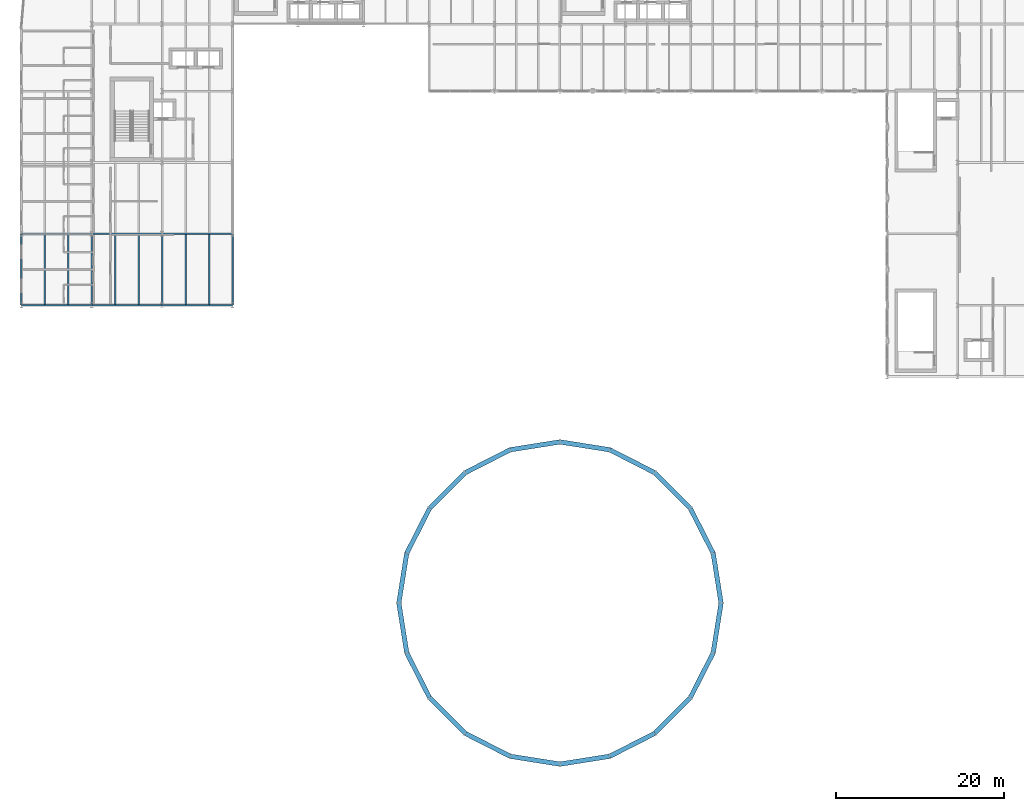
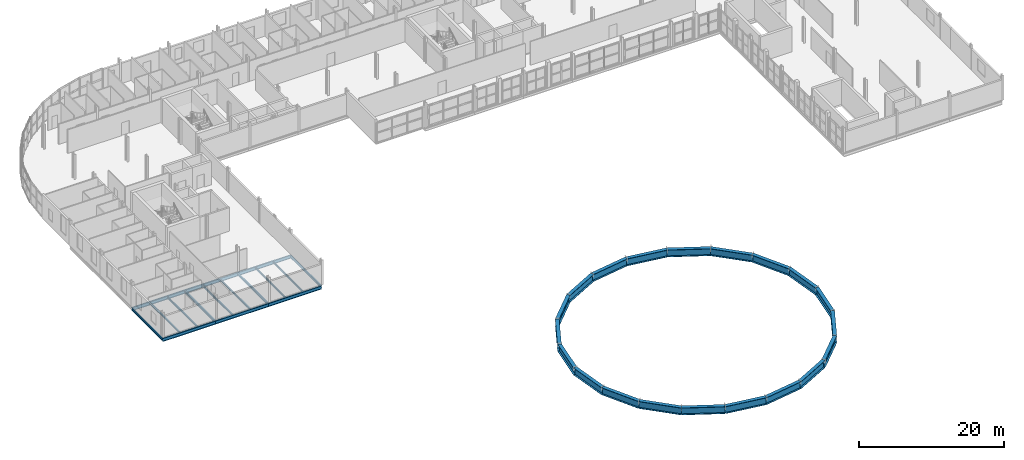
# One storey, part 11 of 45: 36 beams.
"""IFC4 building model written with IfcOpenShell, lengths in metres."""

from ifc_helpers import new_model, si_unit, direction, frame, origin, origin_2d, place, context, subcontext, project, spatial, i_section, extrude, material, material_profile, profile_set, type_object, element, save


model = new_model("IFC4")

# Units and contexts
model_context = context("Model", 3, precision=1e-05, world=origin(), true_north=direction((0.0, 1.0)))
body_context = subcontext(model_context, "Body", "Model", "MODEL_VIEW")
ifc_project = project(units=[si_unit("LENGTHUNIT", "METRE"), si_unit("AREAUNIT", "SQUARE_METRE"), si_unit("VOLUMEUNIT", "CUBIC_METRE"), si_unit("PLANEANGLEUNIT", "RADIAN"), si_unit("MASSUNIT", "GRAM", prefix="KILO")], contexts=[model_context])

# Site, building, storey
site_placement = place(None, origin())
site = spatial("IfcSite", under=ifc_project, at=site_placement, CompositionType="ELEMENT")
building_placement = place(site_placement, origin())
building = spatial("IfcBuilding", under=site, at=building_placement, Name="Sefraquen Railside Congress Hotel", CompositionType="ELEMENT")
storey_placement = place(building_placement, frame((0.0, 0.0, 20.39990234375)))
storey = spatial("IfcBuildingStorey", under=building, at=storey_placement, Name="L04", CompositionType="ELEMENT", Elevation=20.39990234375)

# Beams
ifc_material_1 = material(Name="Steel S355JR", Category="steel")
ifc_material_profile_1 = material_profile(ifc_material_1, i_section(OverallWidth=0.179931640625, OverallDepth=0.39990234375, WebThickness=0.008544921875, FlangeThickness=0.013427734375, FilletRadius=0.02099609375, at=origin_2d()), Name="IPE 400")
ifc_profile_set_1 = profile_set([ifc_material_profile_1], Name="Steel S355JR")
beam_type_1 = type_object("IfcBeamType", Name="TB-BM-400I", PredefinedType="BEAM", material=ifc_profile_set_1)
for number, where, z_axis, x_axis, name in (
    (1, (0.0, 62.5, -0.47998046875), (0.0, 1.0, 0.0), (-1.0, 0.0, 0.0), "Floor beam BM-L04-1341"),
    (2, (8.39990234375, 62.5, -0.47998046875), (0.0, 1.0, 0.0), (-1.0, 0.0, 0.0), "Floor beam BM-L04-1344"),
    (3, (16.800048828125, 62.5, -0.47998046875), (0.0, 1.0, 0.0), (-1.0, 0.0, 0.0), "Floor beam BM-L04-1350"),
    (4, (25.199951171875, 62.5, -0.47998046875), (0.0, 1.0, 0.0), (-1.0, 0.0, 0.0), "Floor beam BM-L04-1356"),
):
    element("IfcBeam", number, at=place(storey_placement, frame(where, z_axis=z_axis, x_axis=x_axis)), inside=storey, type_object=beam_type_1, Name=name, PredefinedType="BEAM", context=body_context, shape_type="SweptSolid", body=[
        extrude(i_section(OverallWidth=0.179931640625, OverallDepth=0.39990234375, WebThickness=0.008544921875, FlangeThickness=0.013427734375, FilletRadius=0.02099609375, at=origin_2d()), origin(), (0.0, 0.0, 1.0), 8.5),
    ])
ifc_material_2 = material(Name="Steel S355J2", Category="steel")
ifc_material_profile_2 = material_profile(ifc_material_2, i_section(OverallWidth=0.550048828125, OverallDepth=1.199951171875, WebThickness=0.02392578125, FlangeThickness=0.0419921875, at=origin_2d()), Name="DRB 1200x550")
ifc_profile_set_2 = profile_set([ifc_material_profile_2], Name="Steel S355J2")
beam_type_2 = type_object("IfcBeamType", Name="TB-DRB-1200", PredefinedType="USERDEFINED", material=ifc_profile_set_2)
for number, where, z_axis, x_axis, name in (
    (5, (83.39990234375, 27.0, 0.0), (-0.156432138959, 0.987688709007, 0.0), (-0.987688709007, -0.156432138959, 0.0), "Dome tension ring beam segment 01"),
    (6, (82.460205078125, 32.93310546875, 0.0), (-0.453979967137, 0.891011890739, 0.0), (-0.891011890739, -0.453979967137, 0.0), "Dome tension ring beam segment 02"),
    (7, (79.733154296875, 38.285400390625, 0.0), (-0.707086459982, 0.707127101807, 0.0), (-0.707127101807, -0.707086459982, 0.0), "Dome tension ring beam segment 03"),
):
    element("IfcBeam", number, at=place(storey_placement, frame(where, z_axis=z_axis, x_axis=x_axis)), inside=storey, type_object=beam_type_2, Name=name, ObjectType="RING BEAM", PredefinedType="USERDEFINED", context=body_context, shape_type="SweptSolid", body=[
        extrude(i_section(OverallWidth=0.550048828125, OverallDepth=1.199951171875, WebThickness=0.02392578125, FlangeThickness=0.0419921875, at=origin_2d()), origin(), (0.0, 0.0, 1.0), 6.007080078125),
    ])
beam_1_placement = place(storey_placement, frame((75.485595703125, 42.533203125, 0.0), z_axis=(-0.891020266674, 0.453963527584, 0.0), x_axis=(-0.453963527584, -0.891020266674, 0.0)))
element("IfcBeam", 8, at=beam_1_placement, inside=storey, type_object=beam_type_2, Name="Dome tension ring beam segment 04", ObjectType="RING BEAM", PredefinedType="USERDEFINED", context=body_context, shape_type="SweptSolid", body=[
    extrude(i_section(OverallWidth=0.550048828125, OverallDepth=1.199951171875, WebThickness=0.02392578125, FlangeThickness=0.0419921875, at=origin_2d()), origin(), (0.0, 0.0, 1.0), 6.00732421875),
])
for number, where, z_axis, x_axis, name in (
    (9, (70.133056640625, 45.26025390625, 0.0), (-0.987688709007, 0.156432138959, 0.0), (-0.156432138959, -0.987688709007, 0.0), "Dome tension ring beam segment 05"),
    (10, (64.199951171875, 46.199951171875, 0.0), (-0.987688709007, -0.156432138959, 0.0), (0.156432138959, -0.987688709007, 0.0), "Dome tension ring beam segment 06"),
    (11, (58.266845703125, 45.26025390625, 0.0), (-0.891011890739, -0.453979967137, 0.0), (0.453979967137, -0.891011890739, 0.0), "Dome tension ring beam segment 07"),
    (12, (52.91455078125, 42.533203125, 0.0), (-0.707086459982, -0.707127101807, 0.0), (0.707127101807, -0.707086459982, 0.0), "Dome tension ring beam segment 08"),
    (13, (48.6669921875, 38.285400390625, 0.0), (-0.454012232645, -0.890995450386, 0.0), (0.890995450386, -0.454012232645, 0.0), "Dome tension ring beam segment 09"),
    (14, (45.939697265625, 32.93310546875, 0.0), (-0.156432138959, -0.987688709007, 0.0), (0.987688709007, -0.156432138959, 0.0), "Dome tension ring beam segment 10"),
    (15, (45.0, 27.0, 0.0), (0.156432138959, -0.987688709007, 0.0), (0.987688709007, 0.156432138959, 0.0), "Dome tension ring beam segment 11"),
    (16, (45.939697265625, 21.06689453125, 0.0), (0.454012232645, -0.890995450386, 0.0), (0.890995450386, 0.454012232645, 0.0), "Dome tension ring beam segment 12"),
    (17, (48.6669921875, 15.714599609375, 0.0), (0.707086459982, -0.707127101807, 0.0), (0.707127101807, 0.707086459982, 0.0), "Dome tension ring beam segment 13"),
    (18, (52.91455078125, 11.466796875, 0.0), (0.891011890739, -0.453979967137, 0.0), (0.453979967137, 0.891011890739, 0.0), "Dome tension ring beam segment 14"),
    (19, (58.266845703125, 8.73974609375, 0.0), (0.987688709007, -0.156432138959, 0.0), (0.156432138959, 0.987688709007, 0.0), "Dome tension ring beam segment 15"),
    (20, (64.199951171875, 7.800048828125, 0.0), (0.987688709007, 0.156432138959, 0.0), (-0.156432138959, 0.987688709007, 0.0), "Dome tension ring beam segment 16"),
):
    element("IfcBeam", number, at=place(storey_placement, frame(where, z_axis=z_axis, x_axis=x_axis)), inside=storey, type_object=beam_type_2, Name=name, ObjectType="RING BEAM", PredefinedType="USERDEFINED", context=body_context, shape_type="SweptSolid", body=[
        extrude(i_section(OverallWidth=0.550048828125, OverallDepth=1.199951171875, WebThickness=0.02392578125, FlangeThickness=0.0419921875, at=origin_2d()), origin(), (0.0, 0.0, 1.0), 6.007080078125),
    ])
beam_2_placement = place(storey_placement, frame((70.133056640625, 8.73974609375, 0.0), z_axis=(0.891020266674, 0.453963527584, 0.0), x_axis=(-0.453963527584, 0.891020266674, 0.0)))
element("IfcBeam", 21, at=beam_2_placement, inside=storey, type_object=beam_type_2, Name="Dome tension ring beam segment 17", ObjectType="RING BEAM", PredefinedType="USERDEFINED", context=body_context, shape_type="SweptSolid", body=[
    extrude(i_section(OverallWidth=0.550048828125, OverallDepth=1.199951171875, WebThickness=0.02392578125, FlangeThickness=0.0419921875, at=origin_2d()), origin(), (0.0, 0.0, 1.0), 6.00732421875),
])
for number, where, z_axis, x_axis, name in (
    (22, (75.485595703125, 11.466796875, 0.0), (0.707086459982, 0.707127101807, 0.0), (-0.707127101807, 0.707086459982, 0.0), "Dome tension ring beam segment 18"),
    (23, (79.733154296875, 15.714599609375, 0.0), (0.453979967137, 0.891011890739, 0.0), (-0.891011890739, 0.453979967137, 0.0), "Dome tension ring beam segment 19"),
    (24, (82.460205078125, 21.06689453125, 0.0), (0.156432138959, 0.987688709007, 0.0), (-0.987688709007, 0.156432138959, 0.0), "Dome tension ring beam segment 20"),
):
    element("IfcBeam", number, at=place(storey_placement, frame(where, z_axis=z_axis, x_axis=x_axis)), inside=storey, type_object=beam_type_2, Name=name, ObjectType="RING BEAM", PredefinedType="USERDEFINED", context=body_context, shape_type="SweptSolid", body=[
        extrude(i_section(OverallWidth=0.550048828125, OverallDepth=1.199951171875, WebThickness=0.02392578125, FlangeThickness=0.0419921875, at=origin_2d()), origin(), (0.0, 0.0, 1.0), 6.007080078125),
    ])
ifc_material_profile_3 = material_profile(ifc_material_1, i_section(OverallWidth=0.2099609375, OverallDepth=0.550048828125, WebThickness=0.010986328125, FlangeThickness=0.01708984375, FilletRadius=0.02392578125, at=origin_2d()), Name="IPE 550")
ifc_profile_set_3 = profile_set([ifc_material_profile_3], Name="Steel S355JR")
beam_type_3 = type_object("IfcBeamType", Name="TB-GIR-550", PredefinedType="T_BEAM", material=ifc_profile_set_3)
beam_3_placement = place(storey_placement, frame((0.0, 62.5, -0.554931640625), z_axis=(1.0, 0.0, 0.0), x_axis=(0.0, 1.0, 0.0)))
element("IfcBeam", 25, at=beam_3_placement, inside=storey, type_object=beam_type_3, Name="Primary girder BM-L04-1263", PredefinedType="T_BEAM", context=body_context, shape_type="SweptSolid", body=[
    extrude(i_section(OverallWidth=0.2099609375, OverallDepth=0.550048828125, WebThickness=0.010986328125, FlangeThickness=0.01708984375, FilletRadius=0.02392578125, at=origin_2d()), origin(), (0.0, 0.0, 1.0), 8.39990234375),
])
beam_4_placement = place(storey_placement, frame((8.39990234375, 62.5, -0.554931640625), z_axis=(1.0, 0.0, 0.0), x_axis=(0.0, 1.0, 0.0)))
element("IfcBeam", 26, at=beam_4_placement, inside=storey, type_object=beam_type_3, Name="Primary girder BM-L04-1264", PredefinedType="T_BEAM", context=body_context, shape_type="SweptSolid", body=[
    extrude(i_section(OverallWidth=0.2099609375, OverallDepth=0.550048828125, WebThickness=0.010986328125, FlangeThickness=0.01708984375, FilletRadius=0.02392578125, at=origin_2d()), origin(), (0.0, 0.0, 1.0), 8.400146484375),
])
for number, where, z_axis, x_axis, name in (
    (27, (16.800048828125, 62.5, -0.554931640625), (1.0, 0.0, 0.0), (0.0, 1.0, 0.0), "Primary girder BM-L04-1265"),
    (28, (0.0, 71.0, -0.554931640625), (1.0, 0.0, 0.0), (0.0, 1.0, 0.0), "Primary girder BM-L04-1268"),
):
    element("IfcBeam", number, at=place(storey_placement, frame(where, z_axis=z_axis, x_axis=x_axis)), inside=storey, type_object=beam_type_3, Name=name, PredefinedType="T_BEAM", context=body_context, shape_type="SweptSolid", body=[
        extrude(i_section(OverallWidth=0.2099609375, OverallDepth=0.550048828125, WebThickness=0.010986328125, FlangeThickness=0.01708984375, FilletRadius=0.02392578125, at=origin_2d()), origin(), (0.0, 0.0, 1.0), 8.39990234375),
    ])
beam_5_placement = place(storey_placement, frame((8.39990234375, 71.0, -0.554931640625), z_axis=(1.0, 0.0, 0.0), x_axis=(0.0, 1.0, 0.0)))
element("IfcBeam", 29, at=beam_5_placement, inside=storey, type_object=beam_type_3, Name="Primary girder BM-L04-1269", PredefinedType="T_BEAM", context=body_context, shape_type="SweptSolid", body=[
    extrude(i_section(OverallWidth=0.2099609375, OverallDepth=0.550048828125, WebThickness=0.010986328125, FlangeThickness=0.01708984375, FilletRadius=0.02392578125, at=origin_2d()), origin(), (0.0, 0.0, 1.0), 8.400146484375),
])
beam_6_placement = place(storey_placement, frame((16.800048828125, 71.0, -0.554931640625), z_axis=(1.0, 0.0, 0.0), x_axis=(0.0, 1.0, 0.0)))
element("IfcBeam", 30, at=beam_6_placement, inside=storey, type_object=beam_type_3, Name="Primary girder BM-L04-1270", PredefinedType="T_BEAM", context=body_context, shape_type="SweptSolid", body=[
    extrude(i_section(OverallWidth=0.2099609375, OverallDepth=0.550048828125, WebThickness=0.010986328125, FlangeThickness=0.01708984375, FilletRadius=0.02392578125, at=origin_2d()), origin(), (0.0, 0.0, 1.0), 8.39990234375),
])
ifc_material_profile_4 = material_profile(ifc_material_1, i_section(OverallWidth=0.14990234375, OverallDepth=0.300048828125, WebThickness=0.007080078125, FlangeThickness=0.0107421875, FilletRadius=0.014892578125, at=origin_2d()), Name="IPE 300")
ifc_profile_set_4 = profile_set([ifc_material_profile_4], Name="Steel S355JR")
beam_type_4 = type_object("IfcBeamType", Name="TB-JST-300", PredefinedType="JOIST", material=ifc_profile_set_4)
for number, where, z_axis, x_axis, name in (
    (31, (2.800048828125, 62.5849609375, -0.429931640625), (0.0, 1.0, 0.0), (-1.0, 0.0, 0.0), "Composite floor joist BM-L04-J0822"),
    (32, (5.60009765625, 62.5849609375, -0.429931640625), (0.0, 1.0, 0.0), (-1.0, 0.0, 0.0), "Composite floor joist BM-L04-J0823"),
    (33, (11.199951171875, 62.5849609375, -0.429931640625), (0.0, 1.0, 0.0), (-1.0, 0.0, 0.0), "Composite floor joist BM-L04-J0828"),
    (34, (14.0, 62.5849609375, -0.429931640625), (0.0, 1.0, 0.0), (-1.0, 0.0, 0.0), "Composite floor joist BM-L04-J0829"),
    (35, (19.60009765625, 62.5849609375, -0.429931640625), (0.0, 1.0, 0.0), (-1.0, 0.0, 0.0), "Composite floor joist BM-L04-J0836"),
    (36, (22.39990234375, 62.5849609375, -0.429931640625), (0.0, 1.0, 0.0), (-1.0, 0.0, 0.0), "Composite floor joist BM-L04-J0837"),
):
    element("IfcBeam", number, at=place(storey_placement, frame(where, z_axis=z_axis, x_axis=x_axis)), inside=storey, type_object=beam_type_4, Name=name, PredefinedType="JOIST", context=body_context, shape_type="SweptSolid", body=[
        extrude(i_section(OverallWidth=0.14990234375, OverallDepth=0.300048828125, WebThickness=0.007080078125, FlangeThickness=0.0107421875, FilletRadius=0.014892578125, at=origin_2d()), origin(), (0.0, 0.0, 1.0), 8.330078125),
    ])

save(model, "model.ifc")
